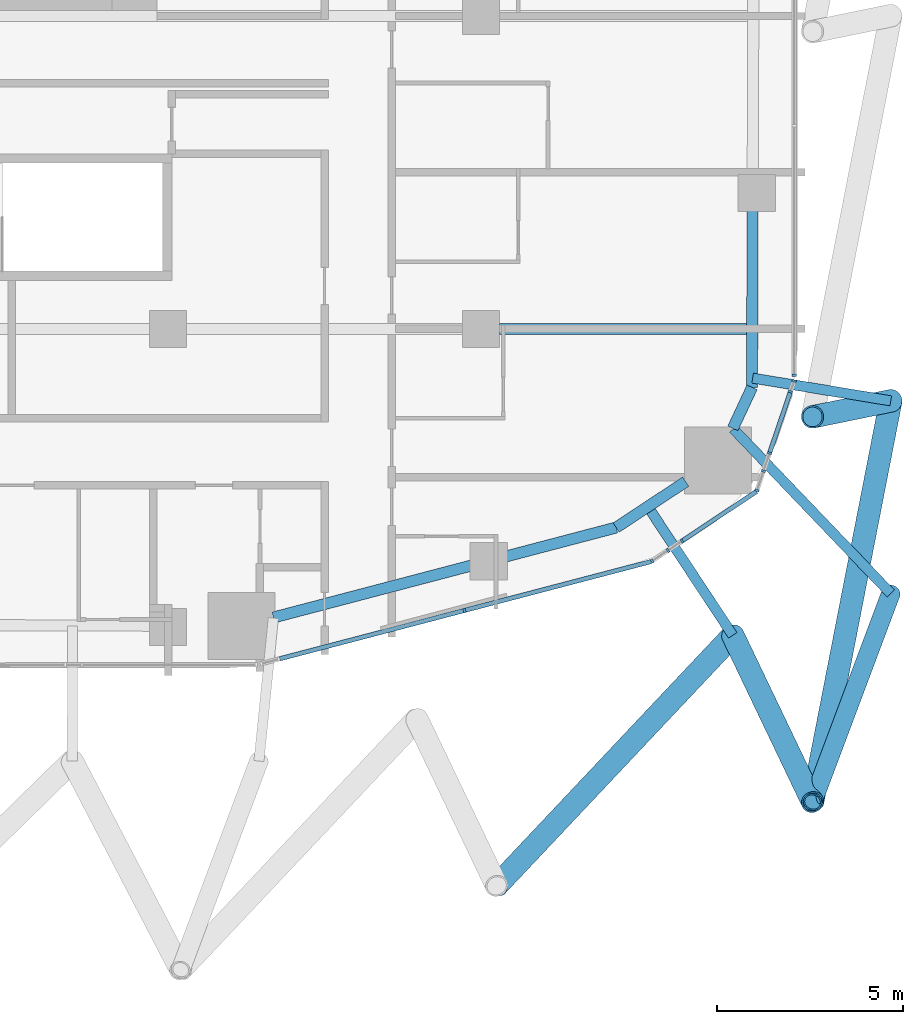
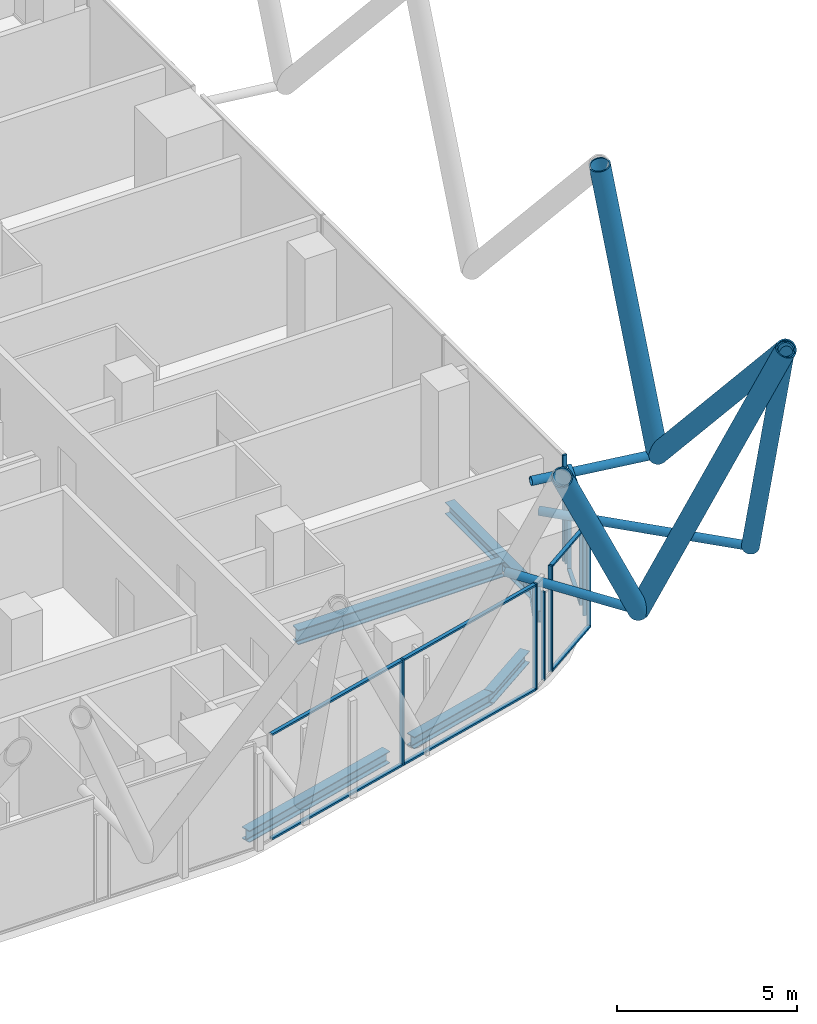
# One storey, part 7 of 36: 26 members, 6 beams, 9 elements without a shape of their own.
"""IFC4 building model written with IfcOpenShell, lengths in metres."""

from ifc_helpers import new_model, si_unit, direction, frame, origin, origin_2d, place, context, subcontext, project, spatial, rectangle, hollow_circle, i_section, extrude, material, layer, layer_set, material_profile, profile_set, type_object, element, aggregate, save


model = new_model("IFC4")

# Units and contexts
model_context = context("Model", 3, precision=1e-05, world=origin(), true_north=direction((0.0, 1.0)))
body_context = subcontext(model_context, "Body", "Model", "MODEL_VIEW")
ifc_project = project(units=[si_unit("LENGTHUNIT", "METRE"), si_unit("AREAUNIT", "SQUARE_METRE"), si_unit("VOLUMEUNIT", "CUBIC_METRE"), si_unit("PLANEANGLEUNIT", "RADIAN"), si_unit("MASSUNIT", "GRAM", prefix="KILO")], contexts=[model_context])

# Site, building, storey
site_placement = place(None, origin())
site = spatial("IfcSite", under=ifc_project, at=site_placement, CompositionType="ELEMENT")
building_placement = place(site_placement, origin())
building = spatial("IfcBuilding", under=site, at=building_placement, Name="Marenta Gate Hotel Tower", CompositionType="ELEMENT")
storey_placement = place(building_placement, frame((0.0, 0.0, 83.300048828125)))
storey = spatial("IfcBuildingStorey", under=building, at=storey_placement, Name="L19", CompositionType="ELEMENT", Elevation=83.300048828125)

# Members
ifc_material_1 = material(Name="Steel S355J2W", Category="steel")
ifc_material_profile_1 = material_profile(ifc_material_1, hollow_circle(Radius=0.25390625, WallThickness=0.0400390625, at=origin_2d()), Name="CHS 508x40")
ifc_profile_set_1 = profile_set([ifc_material_profile_1], Name="Steel S355J2W")
member_type_1 = type_object("IfcMemberType", Name="Diagrid corner post Z1 CHS 508x40", PredefinedType="POST", material=ifc_profile_set_1)
member_1_placement = place(storey_placement, frame((32.0, -15.500244140625, 3.139892578125), z_axis=(-0.170111239528, -0.453597012445, 0.874821076842), x_axis=(0.93632078934, -0.351145809387, 0.0)))
element("IfcMember", 1, at=member_1_placement, inside=storey, type_object=member_type_1, Name="L19-DR-2", PredefinedType="POST", context=body_context, shape_type="SweptSolid", body=[
    extrude(hollow_circle(Radius=0.25390625, WallThickness=0.0400390625, at=origin_2d()), origin(), (0.0, 0.0, 1.0), 12.345458984375),
])
ifc_material_2 = material(Name="Steel S355J2W", Category="steel")
ifc_material_profile_2 = material_profile(ifc_material_2, hollow_circle(Radius=0.304931640625, WallThickness=0.0400390625, at=origin_2d()), Name="CHS 610x40")
ifc_profile_set_2 = profile_set([ifc_material_profile_2], Name="Steel S355J2W")
member_type_2 = type_object("IfcMemberType", Name="Diagrid diagonal T1 CHS 610x40", PredefinedType="BRACE", material=ifc_profile_set_2)
member_2_placement = place(storey_placement, frame((32.0, -10.330078125, 3.139892578125), z_axis=(-0.190731815435, -0.039046585327, 0.980865301025), x_axis=(0.200560207771, -0.979681378336, 0.0)))
element("IfcMember", 2, at=member_2_placement, inside=storey, type_object=member_type_2, Name="L19-DG-9", PredefinedType="BRACE", context=body_context, shape_type="SweptSolid", body=[
    extrude(hollow_circle(Radius=0.304931640625, WallThickness=0.0400390625, at=origin_2d()), origin(), (0.0, 0.0, 1.0), 11.0107421875),
])
member_3_placement = place(storey_placement, frame((32.0, -10.330078125, 3.139892578125), z_axis=(-0.136403114628, -0.69952185523, 0.701472283398), x_axis=(0.981514045442, -0.191390121478, 0.0)))
element("IfcMember", 3, at=member_3_placement, inside=storey, type_object=member_type_2, Name="L19-DG-10", PredefinedType="BRACE", context=body_context, shape_type="SweptSolid", body=[
    extrude(hollow_circle(Radius=0.304931640625, WallThickness=0.0400390625, at=origin_2d()), origin(), (0.0, 0.0, 1.0), 15.396240234375),
])
member_4_placement = place(storey_placement, frame((27.759765625, -16.625, 3.139892578125), z_axis=(0.1800738982, -0.376540560575, 0.908730211575), x_axis=(0.902144216193, 0.431434598971, 0.0)))
element("IfcMember", 4, at=member_4_placement, inside=storey, type_object=member_type_2, Name="L19-DG-11", PredefinedType="BRACE", context=body_context, shape_type="SweptSolid", body=[
    extrude(hollow_circle(Radius=0.304931640625, WallThickness=0.0400390625, at=origin_2d()), origin(), (0.0, 0.0, 1.0), 11.884765625),
])
member_5_placement = place(storey_placement, frame((27.759765625, -16.625, 3.139892578125), z_axis=(-0.446029354035, -0.473096826579, 0.759761283575), x_axis=(0.727615021165, -0.68598570027, 0.0)))
element("IfcMember", 5, at=member_5_placement, inside=storey, type_object=member_type_2, Name="L19-DG-12", PredefinedType="BRACE", context=body_context, shape_type="SweptSolid", body=[
    extrude(hollow_circle(Radius=0.304931640625, WallThickness=0.0400390625, at=origin_2d()), origin(), (0.0, 0.0, 1.0), 14.215087890625),
])

# Beams
ifc_material_3 = material(Name="Steel S355", Category="steel")
ifc_material_profile_3 = material_profile(ifc_material_3, i_section(OverallWidth=0.300048828125, OverallDepth=0.39990234375, WebThickness=0.013427734375, FlangeThickness=0.02392578125, FilletRadius=0.027099609375, at=origin_2d()), Name="HEB 400")
ifc_profile_set_3 = profile_set([ifc_material_profile_3], Name="Steel S355")
beam_type_1 = type_object("IfcBeamType", Name="Edge beam HEB 400", PredefinedType="SPANDREL", material=ifc_profile_set_3)
beam_1_placement = place(storey_placement, frame((28.291015625, -5.2119140625, -0.4599609375), z_axis=(-0.003337079684, -0.999994431934, 0.0), x_axis=(0.999994431934, -0.003337079684, 0.0)))
element("IfcBeam", 6, at=beam_1_placement, inside=storey, type_object=beam_type_1, Name="L19-EB-27", PredefinedType="SPANDREL", context=body_context, shape_type="SweptSolid", body=[
    extrude(i_section(OverallWidth=0.300048828125, OverallDepth=0.39990234375, WebThickness=0.013427734375, FlangeThickness=0.02392578125, FilletRadius=0.027099609375, at=origin_2d()), origin(), (0.0, 0.0, 1.0), 4.75537109375),
])
beam_2_placement = place(storey_placement, frame((28.275146484375, -9.96728515625, -0.4599609375), z_axis=(-0.423291965192, -0.905993329006, 0.0), x_axis=(0.905993329006, -0.423291965192, 0.0)))
element("IfcBeam", 7, at=beam_2_placement, inside=storey, type_object=beam_type_1, Name="L19-EB-28", PredefinedType="SPANDREL", context=body_context, shape_type="SweptSolid", body=[
    extrude(i_section(OverallWidth=0.300048828125, OverallDepth=0.39990234375, WebThickness=0.013427734375, FlangeThickness=0.02392578125, FilletRadius=0.027099609375, at=origin_2d()), origin(), (0.0, 0.0, 1.0), 1.21630859375),
])
beam_3_placement = place(storey_placement, frame((26.496337890625, -12.498291015625, -0.4599609375), z_axis=(-0.834510054819, -0.550992711754, 0.0), x_axis=(0.550992711754, -0.834510054819, 0.0)))
element("IfcBeam", 8, at=beam_3_placement, inside=storey, type_object=beam_type_1, Name="L19-EB-29", PredefinedType="SPANDREL", context=body_context, shape_type="SweptSolid", body=[
    extrude(i_section(OverallWidth=0.300048828125, OverallDepth=0.39990234375, WebThickness=0.013427734375, FlangeThickness=0.02392578125, FilletRadius=0.027099609375, at=origin_2d()), origin(), (0.0, 0.0, 1.0), 2.237060546875),
])
beam_4_placement = place(storey_placement, frame((24.62939453125, -13.73095703125, -0.4599609375), z_axis=(-0.967228272573, -0.253908386501, 0.0), x_axis=(0.253908386501, -0.967228272573, 0.0)))
element("IfcBeam", 9, at=beam_4_placement, inside=storey, type_object=beam_type_1, Name="L19-EB-30", PredefinedType="SPANDREL", context=body_context, shape_type="SweptSolid", body=[
    extrude(i_section(OverallWidth=0.300048828125, OverallDepth=0.39990234375, WebThickness=0.013427734375, FlangeThickness=0.02392578125, FilletRadius=0.027099609375, at=origin_2d()), origin(), (0.0, 0.0, 1.0), 3.0615234375),
])
beam_5_placement = place(storey_placement, frame((20.74560546875, -14.75048828125, -0.4599609375), z_axis=(-0.967231374294, -0.253896570638, 0.0), x_axis=(0.253896570638, -0.967231374294, 0.0)))
element("IfcBeam", 10, at=beam_5_placement, inside=storey, type_object=beam_type_1, Name="L19-EB-31", PredefinedType="SPANDREL", context=body_context, shape_type="SweptSolid", body=[
    extrude(i_section(OverallWidth=0.300048828125, OverallDepth=0.39990234375, WebThickness=0.013427734375, FlangeThickness=0.02392578125, FilletRadius=0.027099609375, at=origin_2d()), origin(), (0.0, 0.0, 1.0), 5.498291015625),
])

# Members
ifc_material_4 = material(Name="Steel S355J2W", Category="steel")
ifc_material_profile_4 = material_profile(ifc_material_4, hollow_circle(Radius=0.136474609375, WallThickness=0.012451171875, at=origin_2d()), Name="CHS 273x12.5")
ifc_profile_set_4 = profile_set([ifc_material_profile_4], Name="Steel S355J2W")
member_type_3 = type_object("IfcMemberType", Name="Floor tie CHS 273x12.5", PredefinedType="STRUT", material=ifc_profile_set_4)
member_6_placement = place(storey_placement, frame((32.0, -10.330078125, 3.139892578125), z_axis=(-0.986718483236, 0.162439634451, 0.0), x_axis=(-0.162439634451, -0.986718483236, 0.0)))
element("IfcMember", 11, at=member_6_placement, inside=storey, type_object=member_type_3, Name="L19-DR-10", PredefinedType="STRUT", context=body_context, shape_type="SweptSolid", body=[
    extrude(hollow_circle(Radius=0.136474609375, WallThickness=0.012451171875, at=origin_2d()), origin(), (0.0, 0.0, 1.0), 3.7587890625),
])
member_7_placement = place(storey_placement, frame((32.0, -15.500244140625, 3.139892578125), z_axis=(-0.69134860262, 0.722521355847, 0.0), x_axis=(-0.722521355847, -0.69134860262, 0.0)))
element("IfcMember", 12, at=member_7_placement, inside=storey, type_object=member_type_3, Name="L19-DR-11", PredefinedType="STRUT", context=body_context, shape_type="SweptSolid", body=[
    extrude(hollow_circle(Radius=0.136474609375, WallThickness=0.012451171875, at=origin_2d()), origin(), (0.0, 0.0, 1.0), 6.11669921875),
])
member_8_placement = place(storey_placement, frame((27.759765625, -16.625, 3.139892578125), z_axis=(-0.550993099857, 0.83450979857, 0.0), x_axis=(-0.83450979857, -0.550993099857, 0.0)))
element("IfcMember", 13, at=member_8_placement, inside=storey, type_object=member_type_3, Name="L19-DR-12", PredefinedType="STRUT", context=body_context, shape_type="SweptSolid", body=[
    extrude(hollow_circle(Radius=0.136474609375, WallThickness=0.012451171875, at=origin_2d()), origin(), (0.0, 0.0, 1.0), 4.124755859375),
])

# Beam
ifc_material_5 = material(Name="Steel S355", Category="steel")
ifc_material_profile_5 = material_profile(ifc_material_5, i_section(OverallWidth=0.300048828125, OverallDepth=0.5, WebThickness=0.014404296875, FlangeThickness=0.028076171875, FilletRadius=0.027099609375, at=origin_2d()), Name="HEB 500")
ifc_profile_set_5 = profile_set([ifc_material_profile_5], Name="Steel S355")
beam_type_2 = type_object("IfcBeamType", Name="Girder HEB 500", PredefinedType="BEAM", material=ifc_profile_set_5)
beam_6_placement = place(storey_placement, frame((21.5, -8.39990234375, -0.510009765625), z_axis=(1.0, 0.0, 0.0), x_axis=(0.0, 1.0, 0.0)))
element("IfcBeam", 14, at=beam_6_placement, inside=storey, type_object=beam_type_2, Name="L19-GD-7", PredefinedType="BEAM", context=body_context, shape_type="SweptSolid", body=[
    extrude(i_section(OverallWidth=0.300048828125, OverallDepth=0.5, WebThickness=0.014404296875, FlangeThickness=0.028076171875, FilletRadius=0.027099609375, at=origin_2d()), origin(), (0.0, 0.0, 1.0), 6.63037109375),
])

# Curtain wall, member
ifc_material_6 = material(Name="Tinted insulated glass in bronze anodised frame", Category="glass")
ifc_layer = layer(ifc_material_6, 0.1201171875)
ifc_layer_set = layer_set([ifc_layer], Name="Tinted insulated glass in bronze anodised frame")
curtain_wall_type = type_object("IfcCurtainWallType", Name="Tower unitised curtain wall CW1", PredefinedType="NOTDEFINED", material=ifc_layer_set)
curtain_wall_1_placement = place(storey_placement, origin())
curtain_wall_1 = element("IfcCurtainWall", 15, at=curtain_wall_1_placement, inside=storey, type_object=curtain_wall_type, Name="CW1 run G24", PredefinedType="NOTDEFINED")
ifc_material_7 = material(Name="Bronze anodised aluminium", Category="aluminium")
ifc_material_profile_6 = material_profile(ifc_material_7, rectangle(XDim=0.1201171875, YDim=0.06005859375, at=origin_2d()), Name="Mullion CW1 60x120 bronze anodised aluminium")
ifc_profile_set_6 = profile_set([ifc_material_profile_6], Name="Bronze anodised aluminium")
member_type_4 = type_object("IfcMemberType", Name="Mullion CW1 60x120 bronze anodised aluminium", PredefinedType="MULLION", material=ifc_profile_set_6)
member_9_placement = place(storey_placement, frame((20.5546875, -15.95654296875, 0.0), z_axis=(0.0, 0.0, 1.0), x_axis=(-0.253363691666, 0.967371097224, 0.0)))
member_9 = element("IfcMember", 16, at=member_9_placement, type_object=member_type_4, Name="CW1 mullion 2", PredefinedType="MULLION", context=body_context, shape_type="SweptSolid", body=[
    extrude(rectangle(XDim=0.1201171875, YDim=0.06005859375, at=origin_2d()), origin(), (0.0, 0.0, 1.0), 3.599853515625),
])

curtain_wall_2_placement = place(storey_placement, origin())
curtain_wall_2 = element("IfcCurtainWall", 17, at=curtain_wall_2_placement, inside=storey, type_object=curtain_wall_type, Name="CW1 run G25", PredefinedType="NOTDEFINED")
member_10_placement = place(storey_placement, frame((25.592529296875, -14.626953125, 0.0), z_axis=(0.0, 0.0, 1.0), x_axis=(-0.55406795082, 0.83247144448, 0.0)))
member_10 = element("IfcMember", 18, at=member_10_placement, type_object=member_type_4, Name="CW1 mullion 1", PredefinedType="MULLION", context=body_context, shape_type="SweptSolid", body=[
    extrude(rectangle(XDim=0.1201171875, YDim=0.06005859375, at=origin_2d()), origin(), (0.0, 0.0, 1.0), 3.599853515625),
])
aggregate(curtain_wall_2, [member_10])

curtain_wall_3_placement = place(storey_placement, origin())
curtain_wall_3 = element("IfcCurtainWall", 19, at=curtain_wall_3_placement, inside=storey, type_object=curtain_wall_type, Name="CW1 run G26", PredefinedType="NOTDEFINED")
member_11_placement = place(storey_placement, frame((26.01806640625, -14.34375, 0.0), z_axis=(0.0, 0.0, 1.0), x_axis=(-0.554088731944, 0.832457612814, 0.0)))
member_11 = element("IfcMember", 20, at=member_11_placement, type_object=member_type_4, Name="CW1 mullion 1", PredefinedType="MULLION", context=body_context, shape_type="SweptSolid", body=[
    extrude(rectangle(XDim=0.1201171875, YDim=0.06005859375, at=origin_2d()), origin(), (0.0, 0.0, 1.0), 3.00048828125),
])
aggregate(curtain_wall_3, [member_11])

curtain_wall_4_placement = place(storey_placement, origin())
curtain_wall_4 = element("IfcCurtainWall", 21, at=curtain_wall_4_placement, inside=storey, type_object=curtain_wall_type, Name="CW1 run G27", PredefinedType="NOTDEFINED")
member_12_placement = place(storey_placement, frame((26.395263671875, -14.0927734375, 0.0), z_axis=(0.0, 0.0, 1.0), x_axis=(-0.554017130491, 0.832505266723, 0.0)))
member_12 = element("IfcMember", 22, at=member_12_placement, type_object=member_type_4, Name="CW1 mullion 1", PredefinedType="MULLION", context=body_context, shape_type="SweptSolid", body=[
    extrude(rectangle(XDim=0.1201171875, YDim=0.06005859375, at=origin_2d()), origin(), (0.0, 0.0, 1.0), 3.599853515625),
])

curtain_wall_5_placement = place(storey_placement, origin())
curtain_wall_5 = element("IfcCurtainWall", 23, at=curtain_wall_5_placement, inside=storey, type_object=curtain_wall_type, Name="CW1 run G28", PredefinedType="NOTDEFINED")
member_13_placement = place(storey_placement, frame((28.405517578125, -12.73291015625, 0.0), z_axis=(0.0, 0.0, 1.0), x_axis=(-0.946741462603, 0.321994725093, 0.0)))
member_13 = element("IfcMember", 24, at=member_13_placement, type_object=member_type_4, Name="CW1 mullion 1", PredefinedType="MULLION", context=body_context, shape_type="SweptSolid", body=[
    extrude(rectangle(XDim=0.1201171875, YDim=0.06005859375, at=origin_2d()), origin(), (0.0, 0.0, 1.0), 3.599853515625),
])
aggregate(curtain_wall_5, [member_13])

curtain_wall_6_placement = place(storey_placement, origin())
curtain_wall_6 = element("IfcCurtainWall", 25, at=curtain_wall_6_placement, inside=storey, type_object=curtain_wall_type, Name="CW1 run G29", PredefinedType="NOTDEFINED")
member_14_placement = place(storey_placement, frame((28.5810546875, -12.21630859375, 0.0), z_axis=(0.0, 0.0, 1.0), x_axis=(-0.94668676371, 0.322155508125, 0.0)))
member_14 = element("IfcMember", 26, at=member_14_placement, type_object=member_type_4, Name="CW1 mullion 1", PredefinedType="MULLION", context=body_context, shape_type="SweptSolid", body=[
    extrude(rectangle(XDim=0.1201171875, YDim=0.06005859375, at=origin_2d()), origin(), (0.0, 0.0, 1.0), 3.00048828125),
])
aggregate(curtain_wall_6, [member_14])

curtain_wall_7_placement = place(storey_placement, origin())
curtain_wall_7 = element("IfcCurtainWall", 27, at=curtain_wall_7_placement, inside=storey, type_object=curtain_wall_type, Name="CW1 run G30", PredefinedType="NOTDEFINED")
member_15_placement = place(storey_placement, frame((28.74560546875, -11.73291015625, 0.0), z_axis=(0.0, 0.0, 1.0), x_axis=(-0.946739800284, 0.321999612667, 0.0)))
member_15 = element("IfcMember", 28, at=member_15_placement, type_object=member_type_4, Name="CW1 mullion 1", PredefinedType="MULLION", context=body_context, shape_type="SweptSolid", body=[
    extrude(rectangle(XDim=0.1201171875, YDim=0.06005859375, at=origin_2d()), origin(), (0.0, 0.0, 1.0), 3.599853515625),
])

# Curtain wall, members
curtain_wall_8_placement = place(storey_placement, origin())
curtain_wall_8 = element("IfcCurtainWall", 29, at=curtain_wall_8_placement, inside=storey, type_object=curtain_wall_type, Name="CW1 run G31", PredefinedType="NOTDEFINED")
member_16_placement = place(storey_placement, frame((29.3056640625, -10.086181640625, 0.0), z_axis=(0.0, 0.0, 1.0), x_axis=(-0.946726116827, 0.322039841818, 0.0)))
member_16 = element("IfcMember", 30, at=member_16_placement, type_object=member_type_4, Name="CW1 mullion 1", PredefinedType="MULLION", context=body_context, shape_type="SweptSolid", body=[
    extrude(rectangle(XDim=0.1201171875, YDim=0.06005859375, at=origin_2d()), origin(), (0.0, 0.0, 1.0), 3.00048828125),
])
member_17_placement = place(storey_placement, frame((29.404296875, -9.79638671875, 0.0), z_axis=(0.0, 0.0, 1.0), x_axis=(-0.946726116827, 0.322039841818, 0.0)))
member_17 = element("IfcMember", 31, at=member_17_placement, type_object=member_type_4, Name="CW1 mullion 2", PredefinedType="MULLION", context=body_context, shape_type="SweptSolid", body=[
    extrude(rectangle(XDim=0.1201171875, YDim=0.06005859375, at=origin_2d()), origin(), (0.0, 0.0, 1.0), 3.00048828125),
])
aggregate(curtain_wall_8, [member_16, member_17])

# Curtain wall, member
curtain_wall_9_placement = place(storey_placement, origin())
curtain_wall_9 = element("IfcCurtainWall", 32, at=curtain_wall_9_placement, inside=storey, type_object=curtain_wall_type, Name="CW1 run G32", PredefinedType="NOTDEFINED")
member_18_placement = place(storey_placement, frame((29.4140625, -9.64501953125, 0.0), z_axis=(0.0, 0.0, 1.0), x_axis=(-1.0, 0.0, 0.0)))
member_18 = element("IfcMember", 33, at=member_18_placement, type_object=member_type_4, Name="CW1 mullion 1", PredefinedType="MULLION", context=body_context, shape_type="SweptSolid", body=[
    extrude(rectangle(XDim=0.1201171875, YDim=0.06005859375, at=origin_2d()), origin(), (0.0, 0.0, 1.0), 3.599853515625),
])
aggregate(curtain_wall_9, [member_18])

# Member
ifc_material_8 = material(Name="Bronze anodised aluminium", Category="aluminium")
ifc_material_profile_7 = material_profile(ifc_material_8, rectangle(XDim=0.1201171875, YDim=0.06005859375, at=origin_2d()), Name="Transom CW1 60x120 bronze anodised aluminium")
ifc_profile_set_7 = profile_set([ifc_material_profile_7], Name="Bronze anodised aluminium")
member_type_5 = type_object("IfcMemberType", Name="Transom CW1 60x120 bronze anodised aluminium", PredefinedType="USERDEFINED", material=ifc_profile_set_7)
member_19_placement = place(storey_placement, frame((15.60009765625, -17.254150390625, 0.030029296875), z_axis=(0.967374461707, 0.253350845344, 0.0), x_axis=(-0.253350845344, 0.967374461707, 0.0)))
member_19 = element("IfcMember", 34, at=member_19_placement, type_object=member_type_5, Name="CW1 transom 1.1", ObjectType="TRANSOM", PredefinedType="USERDEFINED", context=body_context, shape_type="SweptSolid", body=[
    extrude(rectangle(XDim=0.1201171875, YDim=0.06005859375, at=origin_2d()), origin(), (0.0, 0.0, 1.0), 5.091796875),
])

member_20_placement = place(storey_placement, frame((15.60009765625, -17.254150390625, 3.570068359375), z_axis=(0.967374461707, 0.253350845344, 0.0), x_axis=(-0.253350845344, 0.967374461707, 0.0)))
member_20 = element("IfcMember", 35, at=member_20_placement, type_object=member_type_5, Name="CW1 transom 1.2", ObjectType="TRANSOM", PredefinedType="USERDEFINED", context=body_context, shape_type="SweptSolid", body=[
    extrude(rectangle(XDim=0.1201171875, YDim=0.06005859375, at=origin_2d()), origin(), (0.0, 0.0, 1.0), 5.091796875),
])

member_21_placement = place(storey_placement, frame((20.583740234375, -15.948974609375, 0.030029296875), z_axis=(0.967366692523, 0.253380508716, 0.0), x_axis=(-0.253380508716, 0.967366692523, 0.0)))
member_21 = element("IfcMember", 36, at=member_21_placement, type_object=member_type_5, Name="CW1 transom 2.1", ObjectType="TRANSOM", PredefinedType="USERDEFINED", context=body_context, shape_type="SweptSolid", body=[
    extrude(rectangle(XDim=0.1201171875, YDim=0.06005859375, at=origin_2d()), origin(), (0.0, 0.0, 1.0), 5.152099609375),
])

member_22_placement = place(storey_placement, frame((20.583740234375, -15.948974609375, 3.570068359375), z_axis=(0.967366692523, 0.253380508716, 0.0), x_axis=(-0.253380508716, 0.967366692523, 0.0)))
member_22 = element("IfcMember", 37, at=member_22_placement, type_object=member_type_5, Name="CW1 transom 2.2", ObjectType="TRANSOM", PredefinedType="USERDEFINED", context=body_context, shape_type="SweptSolid", body=[
    extrude(rectangle(XDim=0.1201171875, YDim=0.06005859375, at=origin_2d()), origin(), (0.0, 0.0, 1.0), 5.152099609375),
])

aggregate(curtain_wall_1, [member_9, member_19, member_20, member_21, member_22])

member_23_placement = place(storey_placement, frame((26.420166015625, -14.076171875, 0.030029296875), z_axis=(0.832509014786, 0.554011498347, 0.0), x_axis=(-0.554011498347, 0.832509014786, 0.0)))
member_23 = element("IfcMember", 38, at=member_23_placement, type_object=member_type_5, Name="CW1 transom 1.1", ObjectType="TRANSOM", PredefinedType="USERDEFINED", context=body_context, shape_type="SweptSolid", body=[
    extrude(rectangle(XDim=0.1201171875, YDim=0.06005859375, at=origin_2d()), origin(), (0.0, 0.0, 1.0), 2.373046875),
])

member_24_placement = place(storey_placement, frame((26.420166015625, -14.076171875, 3.570068359375), z_axis=(0.832509014786, 0.554011498347, 0.0), x_axis=(-0.554011498347, 0.832509014786, 0.0)))
member_24 = element("IfcMember", 39, at=member_24_placement, type_object=member_type_5, Name="CW1 transom 1.2", ObjectType="TRANSOM", PredefinedType="USERDEFINED", context=body_context, shape_type="SweptSolid", body=[
    extrude(rectangle(XDim=0.1201171875, YDim=0.06005859375, at=origin_2d()), origin(), (0.0, 0.0, 1.0), 2.373046875),
])

aggregate(curtain_wall_4, [member_12, member_23, member_24])

member_25_placement = place(storey_placement, frame((28.75537109375, -11.70458984375, 0.030029296875), z_axis=(0.321978306206, 0.946747046646, 0.0), x_axis=(-0.946747046646, 0.321978306206, 0.0)))
member_25 = element("IfcMember", 40, at=member_25_placement, type_object=member_type_5, Name="CW1 transom 1.1", ObjectType="TRANSOM", PredefinedType="USERDEFINED", context=body_context, shape_type="SweptSolid", body=[
    extrude(rectangle(XDim=0.1201171875, YDim=0.06005859375, at=origin_2d()), origin(), (0.0, 0.0, 1.0), 1.679443359375),
])

member_26_placement = place(storey_placement, frame((28.75537109375, -11.70458984375, 3.570068359375), z_axis=(0.321978306206, 0.946747046646, 0.0), x_axis=(-0.946747046646, 0.321978306206, 0.0)))
member_26 = element("IfcMember", 41, at=member_26_placement, type_object=member_type_5, Name="CW1 transom 1.2", ObjectType="TRANSOM", PredefinedType="USERDEFINED", context=body_context, shape_type="SweptSolid", body=[
    extrude(rectangle(XDim=0.1201171875, YDim=0.06005859375, at=origin_2d()), origin(), (0.0, 0.0, 1.0), 1.679443359375),
])

aggregate(curtain_wall_7, [member_15, member_25, member_26])

save(model, "model.ifc")
